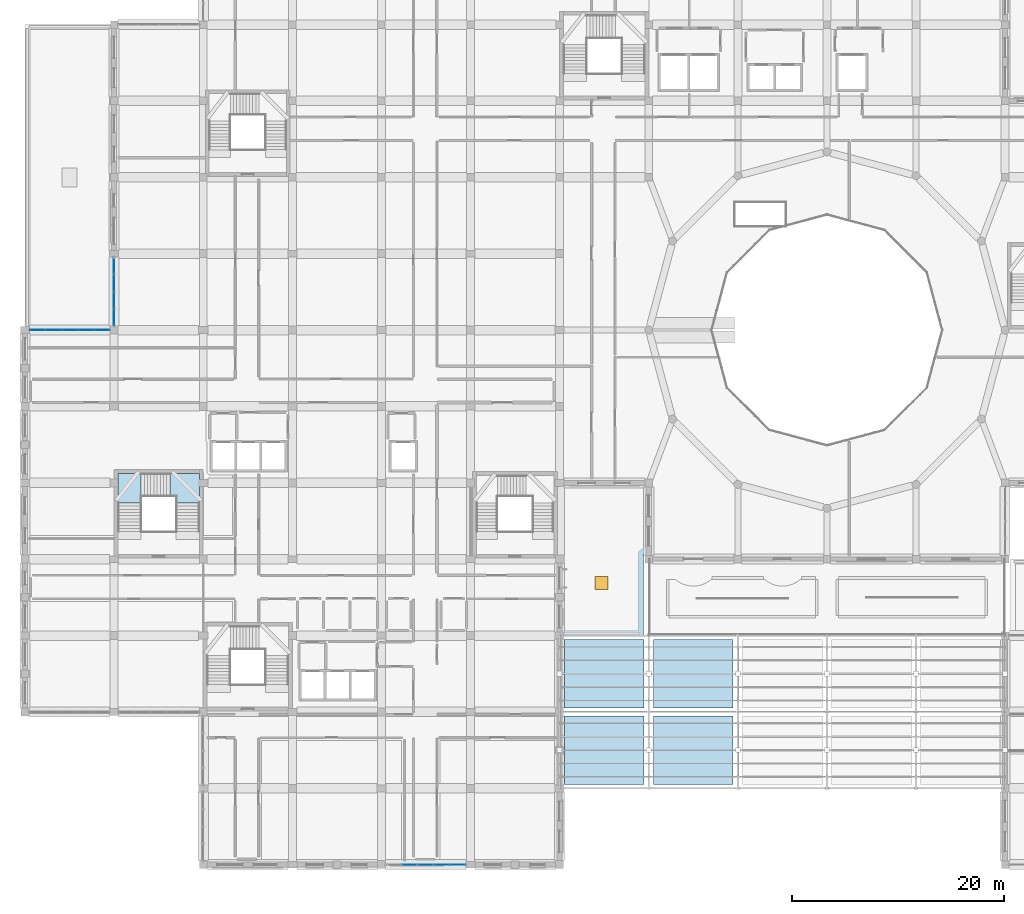
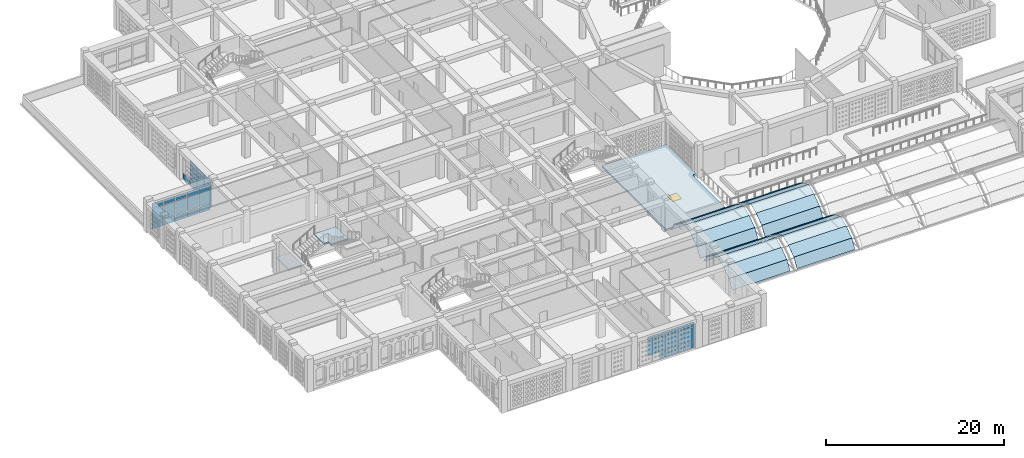
# One storey, part 41 of 100: 60 plates, 3 slabs, 1 window, 1 opening, 4 elements without a shape of their own.
"""IFC4 building model written with IfcOpenShell, lengths in metres."""

from ifc_helpers import new_model, si_unit, derived_unit, direction, frame, origin, origin_2d, place, context, subcontext, project, spatial, polyline, rectangle, outline, extrude, material, layer, layer_set, type_object, element, fill, aggregate, save


model = new_model("IFC4")

# Units and contexts
model_context = context("Model", 3, precision=1e-05, world=origin(), true_north=direction((0.0, 1.0)))
body_context = subcontext(model_context, "Body", "Model", "MODEL_VIEW")
ifc_project = project(units=[si_unit("LENGTHUNIT", "METRE"), si_unit("AREAUNIT", "SQUARE_METRE"), si_unit("VOLUMEUNIT", "CUBIC_METRE"), si_unit("PLANEANGLEUNIT", "RADIAN"), si_unit("MASSUNIT", "GRAM", prefix="KILO"), derived_unit("THERMALTRANSMITTANCEUNIT", [(si_unit("POWERUNIT", "WATT"), 1), (si_unit("LENGTHUNIT", "METRE"), -2), (si_unit("THERMODYNAMICTEMPERATUREUNIT", "KELVIN"), -1)])], contexts=[model_context])

# Site, building, storey
site_placement = place(None, origin())
site = spatial("IfcSite", under=ifc_project, at=site_placement, CompositionType="ELEMENT")
building_placement = place(site_placement, origin())
building = spatial("IfcBuilding", under=site, at=building_placement, Name="Veybourne Emporium", CompositionType="ELEMENT")
storey_placement = place(building_placement, frame((0.0, 0.0, 14.39990234375)))
storey = spatial("IfcBuildingStorey", under=building, at=storey_placement, Name="L03", CompositionType="ELEMENT", Elevation=14.39990234375)

# Curtain wall, plates
ifc_material_1 = material(Name="Patinated Architectural Bronze", Category="bronze")
curtain_wall_type_1 = type_object("IfcCurtainWallType", Name="CWSystem_CWS-06", PredefinedType="NOTDEFINED", material=ifc_material_1)
curtain_wall_1_placement = place(storey_placement, origin())
curtain_wall_1 = element("IfcCurtainWall", 1, at=curtain_wall_1_placement, inside=storey, type_object=curtain_wall_type_1, Name="L03 bronze glazed curtain wall CWS-06 (006)", PredefinedType="NOTDEFINED")
ifc_material_2 = material(Name="Low-E Triple Glazing", Category="glass")
ifc_layer_1 = layer(ifc_material_2, 0.028076171875)
ifc_layer_set_1 = layer_set([ifc_layer_1], Name="Low-E Triple Glazing")
plate_type_1 = type_object("IfcPlateType", Name="CWPanel_CW-P1", PredefinedType="CURTAIN_PANEL", material=ifc_layer_set_1)
plate_1_placement = place(storey_placement, frame((1.203857421875, 50.39990234375, 0.074951171875), z_axis=(0.0, 0.0, 1.0), x_axis=(1.0, 0.0, 0.0)))
plate_1 = element("IfcPlate", 2, at=plate_1_placement, type_object=plate_type_1, Name="CWS-06 panel 1.1", PredefinedType="CURTAIN_PANEL", context=body_context, shape_type="SweptSolid", body=[
    extrude(rectangle(XDim=1.407470703125, YDim=0.028076171875, at=origin_2d()), origin(), (0.0, 0.0, 1.0), 0.78759765625),
])
plate_2_placement = place(storey_placement, frame((1.203857421875, 50.39990234375, 0.9375), z_axis=(0.0, 0.0, 1.0), x_axis=(1.0, 0.0, 0.0)))
plate_2 = element("IfcPlate", 3, at=plate_2_placement, type_object=plate_type_1, Name="CWS-06 panel 1.2", PredefinedType="CURTAIN_PANEL", context=body_context, shape_type="SweptSolid", body=[
    extrude(rectangle(XDim=1.407470703125, YDim=0.028076171875, at=origin_2d()), origin(), (0.0, 0.0, 1.0), 1.905029296875),
])
plate_3_placement = place(storey_placement, frame((1.203857421875, 50.39990234375, 2.91748046875), z_axis=(0.0, 0.0, 1.0), x_axis=(1.0, 0.0, 0.0)))
plate_3 = element("IfcPlate", 4, at=plate_3_placement, type_object=plate_type_1, Name="CWS-06 panel 1.3", PredefinedType="CURTAIN_PANEL", context=body_context, shape_type="SweptSolid", body=[
    extrude(rectangle(XDim=1.407470703125, YDim=0.028076171875, at=origin_2d()), origin(), (0.0, 0.0, 1.0), 0.637451171875),
])
plate_4_placement = place(storey_placement, frame((2.705078125, 50.39990234375, 0.074951171875), z_axis=(0.0, 0.0, 1.0), x_axis=(1.0, 0.0, 0.0)))
plate_4 = element("IfcPlate", 5, at=plate_4_placement, type_object=plate_type_1, Name="CWS-06 panel 2.1", PredefinedType="CURTAIN_PANEL", context=body_context, shape_type="SweptSolid", body=[
    extrude(rectangle(XDim=1.445068359375, YDim=0.028076171875, at=origin_2d()), origin(), (0.0, 0.0, 1.0), 0.78759765625),
])
plate_5_placement = place(storey_placement, frame((2.705078125, 50.39990234375, 0.9375), z_axis=(0.0, 0.0, 1.0), x_axis=(1.0, 0.0, 0.0)))
plate_5 = element("IfcPlate", 6, at=plate_5_placement, type_object=plate_type_1, Name="CWS-06 panel 2.2", PredefinedType="CURTAIN_PANEL", context=body_context, shape_type="SweptSolid", body=[
    extrude(rectangle(XDim=1.445068359375, YDim=0.028076171875, at=origin_2d()), origin(), (0.0, 0.0, 1.0), 1.905029296875),
])
plate_6_placement = place(storey_placement, frame((2.705078125, 50.39990234375, 2.91748046875), z_axis=(0.0, 0.0, 1.0), x_axis=(1.0, 0.0, 0.0)))
plate_6 = element("IfcPlate", 7, at=plate_6_placement, type_object=plate_type_1, Name="CWS-06 panel 2.3", PredefinedType="CURTAIN_PANEL", context=body_context, shape_type="SweptSolid", body=[
    extrude(rectangle(XDim=1.445068359375, YDim=0.028076171875, at=origin_2d()), origin(), (0.0, 0.0, 1.0), 0.637451171875),
])
plate_7_placement = place(storey_placement, frame((4.22509765625, 50.39990234375, 0.074951171875), z_axis=(0.0, 0.0, 1.0), x_axis=(1.0, 0.0, 0.0)))
plate_7 = element("IfcPlate", 8, at=plate_7_placement, type_object=plate_type_1, Name="CWS-06 panel 3.1", PredefinedType="CURTAIN_PANEL", context=body_context, shape_type="SweptSolid", body=[
    extrude(rectangle(XDim=1.445068359375, YDim=0.028076171875, at=origin_2d()), origin(), (0.0, 0.0, 1.0), 0.78759765625),
])
plate_8_placement = place(storey_placement, frame((4.22509765625, 50.39990234375, 0.9375), z_axis=(0.0, 0.0, 1.0), x_axis=(1.0, 0.0, 0.0)))
plate_8 = element("IfcPlate", 9, at=plate_8_placement, type_object=plate_type_1, Name="CWS-06 panel 3.2", PredefinedType="CURTAIN_PANEL", context=body_context, shape_type="SweptSolid", body=[
    extrude(rectangle(XDim=1.445068359375, YDim=0.028076171875, at=origin_2d()), origin(), (0.0, 0.0, 1.0), 1.905029296875),
])
plate_9_placement = place(storey_placement, frame((4.22509765625, 50.39990234375, 2.91748046875), z_axis=(0.0, 0.0, 1.0), x_axis=(1.0, 0.0, 0.0)))
plate_9 = element("IfcPlate", 10, at=plate_9_placement, type_object=plate_type_1, Name="CWS-06 panel 3.3", PredefinedType="CURTAIN_PANEL", context=body_context, shape_type="SweptSolid", body=[
    extrude(rectangle(XDim=1.445068359375, YDim=0.028076171875, at=origin_2d()), origin(), (0.0, 0.0, 1.0), 0.637451171875),
])
plate_10_placement = place(storey_placement, frame((5.7451171875, 50.39990234375, 0.074951171875), z_axis=(0.0, 0.0, 1.0), x_axis=(1.0, 0.0, 0.0)))
plate_10 = element("IfcPlate", 11, at=plate_10_placement, type_object=plate_type_1, Name="CWS-06 panel 4.1", PredefinedType="CURTAIN_PANEL", context=body_context, shape_type="SweptSolid", body=[
    extrude(rectangle(XDim=1.445068359375, YDim=0.028076171875, at=origin_2d()), origin(), (0.0, 0.0, 1.0), 0.78759765625),
])
plate_11_placement = place(storey_placement, frame((5.7451171875, 50.39990234375, 0.9375), z_axis=(0.0, 0.0, 1.0), x_axis=(1.0, 0.0, 0.0)))
plate_11 = element("IfcPlate", 12, at=plate_11_placement, type_object=plate_type_1, Name="CWS-06 panel 4.2", PredefinedType="CURTAIN_PANEL", context=body_context, shape_type="SweptSolid", body=[
    extrude(rectangle(XDim=1.445068359375, YDim=0.028076171875, at=origin_2d()), origin(), (0.0, 0.0, 1.0), 1.905029296875),
])
plate_12_placement = place(storey_placement, frame((5.7451171875, 50.39990234375, 2.91748046875), z_axis=(0.0, 0.0, 1.0), x_axis=(1.0, 0.0, 0.0)))
plate_12 = element("IfcPlate", 13, at=plate_12_placement, type_object=plate_type_1, Name="CWS-06 panel 4.3", PredefinedType="CURTAIN_PANEL", context=body_context, shape_type="SweptSolid", body=[
    extrude(rectangle(XDim=1.445068359375, YDim=0.028076171875, at=origin_2d()), origin(), (0.0, 0.0, 1.0), 0.637451171875),
])
plate_13_placement = place(storey_placement, frame((7.246337890625, 50.39990234375, 0.074951171875), z_axis=(0.0, 0.0, 1.0), x_axis=(1.0, 0.0, 0.0)))
plate_13 = element("IfcPlate", 14, at=plate_13_placement, type_object=plate_type_1, Name="CWS-06 panel 5.1", PredefinedType="CURTAIN_PANEL", context=body_context, shape_type="SweptSolid", body=[
    extrude(rectangle(XDim=1.407470703125, YDim=0.028076171875, at=origin_2d()), origin(), (0.0, 0.0, 1.0), 0.78759765625),
])
plate_14_placement = place(storey_placement, frame((7.246337890625, 50.39990234375, 0.9375), z_axis=(0.0, 0.0, 1.0), x_axis=(1.0, 0.0, 0.0)))
plate_14 = element("IfcPlate", 15, at=plate_14_placement, type_object=plate_type_1, Name="CWS-06 panel 5.2", PredefinedType="CURTAIN_PANEL", context=body_context, shape_type="SweptSolid", body=[
    extrude(rectangle(XDim=1.407470703125, YDim=0.028076171875, at=origin_2d()), origin(), (0.0, 0.0, 1.0), 1.905029296875),
])
plate_15_placement = place(storey_placement, frame((7.246337890625, 50.39990234375, 2.91748046875), z_axis=(0.0, 0.0, 1.0), x_axis=(1.0, 0.0, 0.0)))
plate_15 = element("IfcPlate", 16, at=plate_15_placement, type_object=plate_type_1, Name="CWS-06 panel 5.3", PredefinedType="CURTAIN_PANEL", context=body_context, shape_type="SweptSolid", body=[
    extrude(rectangle(XDim=1.407470703125, YDim=0.028076171875, at=origin_2d()), origin(), (0.0, 0.0, 1.0), 0.637451171875),
])
aggregate(curtain_wall_1, [plate_1, plate_2, plate_3, plate_4, plate_5, plate_6, plate_7, plate_8, plate_9, plate_10, plate_11, plate_12, plate_13, plate_14, plate_15])

curtain_wall_type_2 = type_object("IfcCurtainWallType", Name="CWSystem_CWS-08", PredefinedType="NOTDEFINED", material=ifc_material_1)
curtain_wall_2_placement = place(storey_placement, origin())
curtain_wall_2 = element("IfcCurtainWall", 17, at=curtain_wall_2_placement, inside=storey, type_object=curtain_wall_type_2, Name="L03 bronze glazed curtain wall CWS-08 (009)", PredefinedType="NOTDEFINED")
plate_16_placement = place(storey_placement, frame((8.39990234375, 51.60498046875, 0.070068359375), z_axis=(0.0, 0.0, 1.0), x_axis=(0.0, 1.0, 0.0)))
plate_16 = element("IfcPlate", 18, at=plate_16_placement, type_object=plate_type_1, Name="CWS-08 panel 1.1", PredefinedType="CURTAIN_PANEL", context=body_context, shape_type="SweptSolid", body=[
    extrude(rectangle(XDim=1.52001953125, YDim=0.028076171875, at=origin_2d()), origin(), (0.0, 0.0, 1.0), 0.794921875),
])
plate_17_placement = place(storey_placement, frame((8.39990234375, 51.60498046875, 0.93505859375), z_axis=(0.0, 0.0, 1.0), x_axis=(0.0, 1.0, 0.0)))
plate_17 = element("IfcPlate", 19, at=plate_17_placement, type_object=plate_type_1, Name="CWS-08 panel 1.2", PredefinedType="CURTAIN_PANEL", context=body_context, shape_type="SweptSolid", body=[
    extrude(rectangle(XDim=1.52001953125, YDim=0.028076171875, at=origin_2d()), origin(), (0.0, 0.0, 1.0), 1.909912109375),
])
plate_18_placement = place(storey_placement, frame((8.39990234375, 51.60498046875, 2.9150390625), z_axis=(0.0, 0.0, 1.0), x_axis=(0.0, 1.0, 0.0)))
plate_18 = element("IfcPlate", 20, at=plate_18_placement, type_object=plate_type_1, Name="CWS-08 panel 1.3", PredefinedType="CURTAIN_PANEL", context=body_context, shape_type="SweptSolid", body=[
    extrude(rectangle(XDim=1.52001953125, YDim=0.028076171875, at=origin_2d()), origin(), (0.0, 0.0, 1.0), 0.64501953125),
])
plate_19_placement = place(storey_placement, frame((8.39990234375, 53.21240234375, 0.070068359375), z_axis=(0.0, 0.0, 1.0), x_axis=(0.0, 1.0, 0.0)))
plate_19 = element("IfcPlate", 21, at=plate_19_placement, type_object=plate_type_1, Name="CWS-08 panel 2.1", PredefinedType="CURTAIN_PANEL", context=body_context, shape_type="SweptSolid", body=[
    extrude(rectangle(XDim=1.554931640625, YDim=0.028076171875, at=origin_2d()), origin(), (0.0, 0.0, 1.0), 0.794921875),
])
plate_20_placement = place(storey_placement, frame((8.39990234375, 53.21240234375, 0.93505859375), z_axis=(0.0, 0.0, 1.0), x_axis=(0.0, 1.0, 0.0)))
plate_20 = element("IfcPlate", 22, at=plate_20_placement, type_object=plate_type_1, Name="CWS-08 panel 2.2", PredefinedType="CURTAIN_PANEL", context=body_context, shape_type="SweptSolid", body=[
    extrude(rectangle(XDim=1.554931640625, YDim=0.028076171875, at=origin_2d()), origin(), (0.0, 0.0, 1.0), 1.909912109375),
])
plate_21_placement = place(storey_placement, frame((8.39990234375, 53.21240234375, 2.9150390625), z_axis=(0.0, 0.0, 1.0), x_axis=(0.0, 1.0, 0.0)))
plate_21 = element("IfcPlate", 23, at=plate_21_placement, type_object=plate_type_1, Name="CWS-08 panel 2.3", PredefinedType="CURTAIN_PANEL", context=body_context, shape_type="SweptSolid", body=[
    extrude(rectangle(XDim=1.554931640625, YDim=0.028076171875, at=origin_2d()), origin(), (0.0, 0.0, 1.0), 0.64501953125),
])
plate_22_placement = place(storey_placement, frame((8.39990234375, 54.83740234375, 0.070068359375), z_axis=(0.0, 0.0, 1.0), x_axis=(0.0, 1.0, 0.0)))
plate_22 = element("IfcPlate", 24, at=plate_22_placement, type_object=plate_type_1, Name="CWS-08 panel 3.1", PredefinedType="CURTAIN_PANEL", context=body_context, shape_type="SweptSolid", body=[
    extrude(rectangle(XDim=1.554931640625, YDim=0.028076171875, at=origin_2d()), origin(), (0.0, 0.0, 1.0), 0.794921875),
])
plate_23_placement = place(storey_placement, frame((8.39990234375, 54.83740234375, 0.93505859375), z_axis=(0.0, 0.0, 1.0), x_axis=(0.0, 1.0, 0.0)))
plate_23 = element("IfcPlate", 25, at=plate_23_placement, type_object=plate_type_1, Name="CWS-08 panel 3.2", PredefinedType="CURTAIN_PANEL", context=body_context, shape_type="SweptSolid", body=[
    extrude(rectangle(XDim=1.554931640625, YDim=0.028076171875, at=origin_2d()), origin(), (0.0, 0.0, 1.0), 1.909912109375),
])
plate_24_placement = place(storey_placement, frame((8.39990234375, 54.83740234375, 2.9150390625), z_axis=(0.0, 0.0, 1.0), x_axis=(0.0, 1.0, 0.0)))
plate_24 = element("IfcPlate", 26, at=plate_24_placement, type_object=plate_type_1, Name="CWS-08 panel 3.3", PredefinedType="CURTAIN_PANEL", context=body_context, shape_type="SweptSolid", body=[
    extrude(rectangle(XDim=1.554931640625, YDim=0.028076171875, at=origin_2d()), origin(), (0.0, 0.0, 1.0), 0.64501953125),
])
plate_25_placement = place(storey_placement, frame((8.39990234375, 56.445068359375, 0.070068359375), z_axis=(0.0, 0.0, 1.0), x_axis=(0.0, 1.0, 0.0)))
plate_25 = element("IfcPlate", 27, at=plate_25_placement, type_object=plate_type_1, Name="CWS-08 panel 4.1", PredefinedType="CURTAIN_PANEL", context=body_context, shape_type="SweptSolid", body=[
    extrude(rectangle(XDim=1.52001953125, YDim=0.028076171875, at=origin_2d()), origin(), (0.0, 0.0, 1.0), 0.794921875),
])
aggregate(curtain_wall_2, [plate_16, plate_17, plate_18, plate_19, plate_20, plate_21, plate_22, plate_23, plate_24, plate_25])

curtain_wall_type_3 = type_object("IfcCurtainWallType", Name="CWSystem_CWS-13", PredefinedType="NOTDEFINED", material=ifc_material_1)
curtain_wall_3_placement = place(storey_placement, origin())
curtain_wall_3 = element("IfcCurtainWall", 28, at=curtain_wall_3_placement, inside=storey, type_object=curtain_wall_type_3, Name="L03 bronze glazed curtain wall CWS-13 (021)", PredefinedType="NOTDEFINED")
plate_26_placement = place(storey_placement, frame((40.797119140625, 0.0, 0.072021484375), z_axis=(0.0, 0.0, 1.0), x_axis=(-1.0, 0.0, 0.0)))
plate_26 = element("IfcPlate", 29, at=plate_26_placement, type_object=plate_type_1, Name="CWS-13 panel 1.1", PredefinedType="CURTAIN_PANEL", context=body_context, shape_type="SweptSolid", body=[
    extrude(rectangle(XDim=1.412109375, YDim=0.028076171875, at=origin_2d()), origin(), (0.0, 0.0, 1.0), 0.7919921875),
])
plate_27_placement = place(storey_placement, frame((40.797119140625, 0.0, 0.93603515625), z_axis=(0.0, 0.0, 1.0), x_axis=(-1.0, 0.0, 0.0)))
plate_27 = element("IfcPlate", 30, at=plate_27_placement, type_object=plate_type_1, Name="CWS-13 panel 1.2", PredefinedType="CURTAIN_PANEL", context=body_context, shape_type="SweptSolid", body=[
    extrude(rectangle(XDim=1.412109375, YDim=0.028076171875, at=origin_2d()), origin(), (0.0, 0.0, 1.0), 1.907958984375),
])
plate_28_placement = place(storey_placement, frame((40.797119140625, 0.0, 2.916015625), z_axis=(0.0, 0.0, 1.0), x_axis=(-1.0, 0.0, 0.0)))
plate_28 = element("IfcPlate", 31, at=plate_28_placement, type_object=plate_type_1, Name="CWS-13 panel 1.3", PredefinedType="CURTAIN_PANEL", context=body_context, shape_type="SweptSolid", body=[
    extrude(rectangle(XDim=1.412109375, YDim=0.028076171875, at=origin_2d()), origin(), (0.0, 0.0, 1.0), 0.64208984375),
])
plate_29_placement = place(storey_placement, frame((39.294921875, 0.0, 0.072021484375), z_axis=(0.0, 0.0, 1.0), x_axis=(-1.0, 0.0, 0.0)))
plate_29 = element("IfcPlate", 32, at=plate_29_placement, type_object=plate_type_1, Name="CWS-13 panel 2.1", PredefinedType="CURTAIN_PANEL", context=body_context, shape_type="SweptSolid", body=[
    extrude(rectangle(XDim=1.447998046875, YDim=0.028076171875, at=origin_2d()), origin(), (0.0, 0.0, 1.0), 0.7919921875),
])
plate_30_placement = place(storey_placement, frame((39.294921875, 0.0, 0.93603515625), z_axis=(0.0, 0.0, 1.0), x_axis=(-1.0, 0.0, 0.0)))
plate_30 = element("IfcPlate", 33, at=plate_30_placement, type_object=plate_type_1, Name="CWS-13 panel 2.2", PredefinedType="CURTAIN_PANEL", context=body_context, shape_type="SweptSolid", body=[
    extrude(rectangle(XDim=1.447998046875, YDim=0.028076171875, at=origin_2d()), origin(), (0.0, 0.0, 1.0), 1.907958984375),
])
plate_31_placement = place(storey_placement, frame((39.294921875, 0.0, 2.916015625), z_axis=(0.0, 0.0, 1.0), x_axis=(-1.0, 0.0, 0.0)))
plate_31 = element("IfcPlate", 34, at=plate_31_placement, type_object=plate_type_1, Name="CWS-13 panel 2.3", PredefinedType="CURTAIN_PANEL", context=body_context, shape_type="SweptSolid", body=[
    extrude(rectangle(XDim=1.447998046875, YDim=0.028076171875, at=origin_2d()), origin(), (0.0, 0.0, 1.0), 0.64208984375),
])
plate_32_placement = place(storey_placement, frame((37.77490234375, 0.0, 0.072021484375), z_axis=(0.0, 0.0, 1.0), x_axis=(-1.0, 0.0, 0.0)))
plate_32 = element("IfcPlate", 35, at=plate_32_placement, type_object=plate_type_1, Name="CWS-13 panel 3.1", PredefinedType="CURTAIN_PANEL", context=body_context, shape_type="SweptSolid", body=[
    extrude(rectangle(XDim=1.447998046875, YDim=0.028076171875, at=origin_2d()), origin(), (0.0, 0.0, 1.0), 0.7919921875),
])
plate_33_placement = place(storey_placement, frame((37.77490234375, 0.0, 0.93603515625), z_axis=(0.0, 0.0, 1.0), x_axis=(-1.0, 0.0, 0.0)))
plate_33 = element("IfcPlate", 36, at=plate_33_placement, type_object=plate_type_1, Name="CWS-13 panel 3.2", PredefinedType="CURTAIN_PANEL", context=body_context, shape_type="SweptSolid", body=[
    extrude(rectangle(XDim=1.447998046875, YDim=0.028076171875, at=origin_2d()), origin(), (0.0, 0.0, 1.0), 1.907958984375),
])
plate_34_placement = place(storey_placement, frame((37.77490234375, 0.0, 2.916015625), z_axis=(0.0, 0.0, 1.0), x_axis=(-1.0, 0.0, 0.0)))
plate_34 = element("IfcPlate", 37, at=plate_34_placement, type_object=plate_type_1, Name="CWS-13 panel 3.3", PredefinedType="CURTAIN_PANEL", context=body_context, shape_type="SweptSolid", body=[
    extrude(rectangle(XDim=1.447998046875, YDim=0.028076171875, at=origin_2d()), origin(), (0.0, 0.0, 1.0), 0.64208984375),
])
plate_35_placement = place(storey_placement, frame((36.2548828125, 0.0, 0.93603515625), z_axis=(0.0, 0.0, 1.0), x_axis=(-1.0, 0.0, 0.0)))
plate_35 = element("IfcPlate", 38, at=plate_35_placement, type_object=plate_type_1, Name="CWS-13 panel 4.2", PredefinedType="CURTAIN_PANEL", context=body_context, shape_type="SweptSolid", body=[
    extrude(rectangle(XDim=1.447998046875, YDim=0.028076171875, at=origin_2d()), origin(), (0.0, 0.0, 1.0), 1.907958984375),
])
plate_36_placement = place(storey_placement, frame((36.2548828125, 0.0, 2.916015625), z_axis=(0.0, 0.0, 1.0), x_axis=(-1.0, 0.0, 0.0)))
plate_36 = element("IfcPlate", 39, at=plate_36_placement, type_object=plate_type_1, Name="CWS-13 panel 4.3", PredefinedType="CURTAIN_PANEL", context=body_context, shape_type="SweptSolid", body=[
    extrude(rectangle(XDim=1.447998046875, YDim=0.028076171875, at=origin_2d()), origin(), (0.0, 0.0, 1.0), 0.64208984375),
])
aggregate(curtain_wall_3, [plate_26, plate_27, plate_28, plate_29, plate_30, plate_31, plate_32, plate_33, plate_34, plate_35, plate_36])

# Plates
ifc_material_3 = material(Name="Solar Control Laminated Glass", Category="glass")
ifc_layer_2 = layer(ifc_material_3, 0.02392578125)
ifc_layer_set_2 = layer_set([ifc_layer_2], Name="Solar Control Laminated Glass")
plate_type_2 = type_object("IfcPlateType", Name="GlazingPlate_VG-01", PredefinedType="SHEET", material=ifc_layer_set_2)
plate_37_placement = place(storey_placement, frame((50.840087890625, 7.56005859375, 0.024169921875), z_axis=(0.0, -0.847573426273, 0.530678138871), x_axis=(1.0, 0.0, 0.0)))
element("IfcPlate", 40, at=plate_37_placement, inside=storey, type_object=plate_type_2, Name="Arcade vault laminated glazing VG-01 VA.0.1", PredefinedType="SHEET", context=body_context, shape_type="SweptSolid", body=[
    extrude(outline(polyline([(0.0, 0.0), (7.52001953125, 0.0), (7.52001953125, 1.3566993821477364), (0.0, 1.3566993821477364), (0.0, 0.0)])), origin(), (0.0, 0.0, -1.0), 0.02392578125),
])
plate_38_placement = place(storey_placement, frame((50.840087890625, 8.280029296875, 1.174072265625), z_axis=(0.0, -0.581297847849, 0.813690857811), x_axis=(1.0, 0.0, 0.0)))
element("IfcPlate", 41, at=plate_38_placement, inside=storey, type_object=plate_type_2, Name="Arcade vault laminated glazing VG-01 VA.0.2", PredefinedType="SHEET", context=body_context, shape_type="SweptSolid", body=[
    extrude(outline(polyline([(0.0, 0.0), (7.52001953125, 0.0), (7.52001953125, 1.5485116411583864), (0.0, 1.5485116411583864), (0.0, 0.0)])), origin(), (0.0, 0.0, -1.0), 0.02392578125),
])
for number, where, z_axis, x_axis, name in (
    (42, (50.840087890625, 9.5400390625, 2.07421875), (0.0, -0.399933606254, 0.916544112735), (1.0, 0.0, 0.0), "Arcade vault laminated glazing VG-01 VA.0.3"),
    (43, (50.840087890625, 10.800048828125, 2.6240234375), (0.0, 0.399933606254, 0.916544112735), (1.0, 0.0, 0.0), "Arcade vault laminated glazing VG-01 VA.0.4"),
):
    element("IfcPlate", number, at=place(storey_placement, frame(where, z_axis=z_axis, x_axis=x_axis)), inside=storey, type_object=plate_type_2, Name=name, PredefinedType="SHEET", context=body_context, shape_type="SweptSolid", body=[
        extrude(outline(polyline([(0.0, 0.0), (7.52001953125, 0.0), (7.52001953125, 1.3747399040790733), (0.0, 1.3747399040790733), (0.0, 0.0)])), origin(), (0.0, 0.0, -1.0), 0.02392578125),
    ])
plate_39_placement = place(storey_placement, frame((50.840087890625, 12.06005859375, 2.07421875), z_axis=(0.0, 0.581297847849, 0.813690857811), x_axis=(1.0, 0.0, 0.0)))
element("IfcPlate", 44, at=plate_39_placement, inside=storey, type_object=plate_type_2, Name="Arcade vault laminated glazing VG-01 VA.0.5", PredefinedType="SHEET", context=body_context, shape_type="SweptSolid", body=[
    extrude(outline(polyline([(0.0, 0.0), (7.52001953125, 0.0), (7.52001953125, 1.5485116411583864), (0.0, 1.5485116411583864), (0.0, 0.0)])), origin(), (0.0, 0.0, -1.0), 0.02392578125),
])
for number, where, z_axis, x_axis, name in (
    (45, (50.840087890625, 13.320068359375, 1.174072265625), (0.0, 0.847573426273, 0.530678138871), (1.0, 0.0, 0.0), "Arcade vault laminated glazing VG-01 VA.0.6"),
    (46, (59.239990234375, 7.56005859375, 0.024169921875), (0.0, -0.847573426273, 0.530678138871), (1.0, 0.0, 0.0), "Arcade vault laminated glazing VG-01 VA.1.1"),
):
    element("IfcPlate", number, at=place(storey_placement, frame(where, z_axis=z_axis, x_axis=x_axis)), inside=storey, type_object=plate_type_2, Name=name, PredefinedType="SHEET", context=body_context, shape_type="SweptSolid", body=[
        extrude(outline(polyline([(0.0, 0.0), (7.52001953125, 0.0), (7.52001953125, 1.3566993821477364), (0.0, 1.3566993821477364), (0.0, 0.0)])), origin(), (0.0, 0.0, -1.0), 0.02392578125),
    ])
plate_40_placement = place(storey_placement, frame((59.239990234375, 8.280029296875, 1.174072265625), z_axis=(0.0, -0.581297847849, 0.813690857811), x_axis=(1.0, 0.0, 0.0)))
element("IfcPlate", 47, at=plate_40_placement, inside=storey, type_object=plate_type_2, Name="Arcade vault laminated glazing VG-01 VA.1.2", PredefinedType="SHEET", context=body_context, shape_type="SweptSolid", body=[
    extrude(outline(polyline([(0.0, 0.0), (7.52001953125, 0.0), (7.52001953125, 1.5485116411583864), (0.0, 1.5485116411583864), (0.0, 0.0)])), origin(), (0.0, 0.0, -1.0), 0.02392578125),
])
for number, where, z_axis, x_axis, name in (
    (48, (59.239990234375, 9.5400390625, 2.07421875), (0.0, -0.399933606254, 0.916544112735), (1.0, 0.0, 0.0), "Arcade vault laminated glazing VG-01 VA.1.3"),
    (49, (59.239990234375, 10.800048828125, 2.6240234375), (0.0, 0.399933606254, 0.916544112735), (1.0, 0.0, 0.0), "Arcade vault laminated glazing VG-01 VA.1.4"),
):
    element("IfcPlate", number, at=place(storey_placement, frame(where, z_axis=z_axis, x_axis=x_axis)), inside=storey, type_object=plate_type_2, Name=name, PredefinedType="SHEET", context=body_context, shape_type="SweptSolid", body=[
        extrude(outline(polyline([(0.0, 0.0), (7.52001953125, 0.0), (7.52001953125, 1.3747399040790733), (0.0, 1.3747399040790733), (0.0, 0.0)])), origin(), (0.0, 0.0, -1.0), 0.02392578125),
    ])
plate_41_placement = place(storey_placement, frame((59.239990234375, 12.06005859375, 2.07421875), z_axis=(0.0, 0.581297847849, 0.813690857811), x_axis=(1.0, 0.0, 0.0)))
element("IfcPlate", 50, at=plate_41_placement, inside=storey, type_object=plate_type_2, Name="Arcade vault laminated glazing VG-01 VA.1.5", PredefinedType="SHEET", context=body_context, shape_type="SweptSolid", body=[
    extrude(outline(polyline([(0.0, 0.0), (7.52001953125, 0.0), (7.52001953125, 1.5485116411583864), (0.0, 1.5485116411583864), (0.0, 0.0)])), origin(), (0.0, 0.0, -1.0), 0.02392578125),
])
for number, where, z_axis, x_axis, name in (
    (51, (59.239990234375, 13.320068359375, 1.174072265625), (0.0, 0.847573426273, 0.530678138871), (1.0, 0.0, 0.0), "Arcade vault laminated glazing VG-01 VA.1.6"),
    (52, (50.840087890625, 14.760009765625, 0.024169921875), (0.0, -0.847573426273, 0.530678138871), (1.0, 0.0, 0.0), "Arcade vault laminated glazing VG-01 VB.0.1"),
):
    element("IfcPlate", number, at=place(storey_placement, frame(where, z_axis=z_axis, x_axis=x_axis)), inside=storey, type_object=plate_type_2, Name=name, PredefinedType="SHEET", context=body_context, shape_type="SweptSolid", body=[
        extrude(outline(polyline([(0.0, 0.0), (7.52001953125, 0.0), (7.52001953125, 1.3566993821477364), (0.0, 1.3566993821477364), (0.0, 0.0)])), origin(), (0.0, 0.0, -1.0), 0.02392578125),
    ])
plate_42_placement = place(storey_placement, frame((50.840087890625, 15.47998046875, 1.174072265625), z_axis=(0.0, -0.581297847849, 0.813690857811), x_axis=(1.0, 0.0, 0.0)))
element("IfcPlate", 53, at=plate_42_placement, inside=storey, type_object=plate_type_2, Name="Arcade vault laminated glazing VG-01 VB.0.2", PredefinedType="SHEET", context=body_context, shape_type="SweptSolid", body=[
    extrude(outline(polyline([(0.0, 0.0), (7.52001953125, 0.0), (7.52001953125, 1.5485116411583864), (0.0, 1.5485116411583864), (0.0, 0.0)])), origin(), (0.0, 0.0, -1.0), 0.02392578125),
])
for number, where, z_axis, x_axis, name in (
    (54, (50.840087890625, 16.739990234375, 2.07421875), (0.0, -0.399933606254, 0.916544112735), (1.0, 0.0, 0.0), "Arcade vault laminated glazing VG-01 VB.0.3"),
    (55, (50.840087890625, 18.0, 2.6240234375), (0.0, 0.399933606254, 0.916544112735), (1.0, 0.0, 0.0), "Arcade vault laminated glazing VG-01 VB.0.4"),
):
    element("IfcPlate", number, at=place(storey_placement, frame(where, z_axis=z_axis, x_axis=x_axis)), inside=storey, type_object=plate_type_2, Name=name, PredefinedType="SHEET", context=body_context, shape_type="SweptSolid", body=[
        extrude(outline(polyline([(0.0, 0.0), (7.52001953125, 0.0), (7.52001953125, 1.3747399040790733), (0.0, 1.3747399040790733), (0.0, 0.0)])), origin(), (0.0, 0.0, -1.0), 0.02392578125),
    ])
plate_43_placement = place(storey_placement, frame((50.840087890625, 19.260009765625, 2.07421875), z_axis=(0.0, 0.581297847849, 0.813690857811), x_axis=(1.0, 0.0, 0.0)))
element("IfcPlate", 56, at=plate_43_placement, inside=storey, type_object=plate_type_2, Name="Arcade vault laminated glazing VG-01 VB.0.5", PredefinedType="SHEET", context=body_context, shape_type="SweptSolid", body=[
    extrude(outline(polyline([(0.0, 0.0), (7.52001953125, 0.0), (7.52001953125, 1.5485116411583864), (0.0, 1.5485116411583864), (0.0, 0.0)])), origin(), (0.0, 0.0, -1.0), 0.02392578125),
])
for number, where, z_axis, x_axis, name in (
    (57, (50.840087890625, 20.52001953125, 1.174072265625), (0.0, 0.847573426273, 0.530678138871), (1.0, 0.0, 0.0), "Arcade vault laminated glazing VG-01 VB.0.6"),
    (58, (59.239990234375, 14.760009765625, 0.024169921875), (0.0, -0.847573426273, 0.530678138871), (1.0, 0.0, 0.0), "Arcade vault laminated glazing VG-01 VB.1.1"),
):
    element("IfcPlate", number, at=place(storey_placement, frame(where, z_axis=z_axis, x_axis=x_axis)), inside=storey, type_object=plate_type_2, Name=name, PredefinedType="SHEET", context=body_context, shape_type="SweptSolid", body=[
        extrude(outline(polyline([(0.0, 0.0), (7.52001953125, 0.0), (7.52001953125, 1.3566993821477364), (0.0, 1.3566993821477364), (0.0, 0.0)])), origin(), (0.0, 0.0, -1.0), 0.02392578125),
    ])
plate_44_placement = place(storey_placement, frame((59.239990234375, 15.47998046875, 1.174072265625), z_axis=(0.0, -0.581297847849, 0.813690857811), x_axis=(1.0, 0.0, 0.0)))
element("IfcPlate", 59, at=plate_44_placement, inside=storey, type_object=plate_type_2, Name="Arcade vault laminated glazing VG-01 VB.1.2", PredefinedType="SHEET", context=body_context, shape_type="SweptSolid", body=[
    extrude(outline(polyline([(0.0, 0.0), (7.52001953125, 0.0), (7.52001953125, 1.5485116411583864), (0.0, 1.5485116411583864), (0.0, 0.0)])), origin(), (0.0, 0.0, -1.0), 0.02392578125),
])
for number, where, z_axis, x_axis, name in (
    (60, (59.239990234375, 16.739990234375, 2.07421875), (0.0, -0.399933606254, 0.916544112735), (1.0, 0.0, 0.0), "Arcade vault laminated glazing VG-01 VB.1.3"),
    (61, (59.239990234375, 18.0, 2.6240234375), (0.0, 0.399933606254, 0.916544112735), (1.0, 0.0, 0.0), "Arcade vault laminated glazing VG-01 VB.1.4"),
):
    element("IfcPlate", number, at=place(storey_placement, frame(where, z_axis=z_axis, x_axis=x_axis)), inside=storey, type_object=plate_type_2, Name=name, PredefinedType="SHEET", context=body_context, shape_type="SweptSolid", body=[
        extrude(outline(polyline([(0.0, 0.0), (7.52001953125, 0.0), (7.52001953125, 1.3747399040790733), (0.0, 1.3747399040790733), (0.0, 0.0)])), origin(), (0.0, 0.0, -1.0), 0.02392578125),
    ])
plate_45_placement = place(storey_placement, frame((59.239990234375, 19.260009765625, 2.07421875), z_axis=(0.0, 0.581297847849, 0.813690857811), x_axis=(1.0, 0.0, 0.0)))
element("IfcPlate", 62, at=plate_45_placement, inside=storey, type_object=plate_type_2, Name="Arcade vault laminated glazing VG-01 VB.1.5", PredefinedType="SHEET", context=body_context, shape_type="SweptSolid", body=[
    extrude(outline(polyline([(0.0, 0.0), (7.52001953125, 0.0), (7.52001953125, 1.5485116411583864), (0.0, 1.5485116411583864), (0.0, 0.0)])), origin(), (0.0, 0.0, -1.0), 0.02392578125),
])
plate_46_placement = place(storey_placement, frame((59.239990234375, 20.52001953125, 1.174072265625), z_axis=(0.0, 0.847573426273, 0.530678138871), x_axis=(1.0, 0.0, 0.0)))
element("IfcPlate", 63, at=plate_46_placement, inside=storey, type_object=plate_type_2, Name="Arcade vault laminated glazing VG-01 VB.1.6", PredefinedType="SHEET", context=body_context, shape_type="SweptSolid", body=[
    extrude(outline(polyline([(0.0, 0.0), (7.52001953125, 0.0), (7.52001953125, 1.3566993821477364), (0.0, 1.3566993821477364), (0.0, 0.0)])), origin(), (0.0, 0.0, -1.0), 0.02392578125),
])

# Stair, slabs
ifc_material_4 = material(Name="Concrete C32/40", Category="concrete")
stair_type = type_object("IfcStairType", Name="Stair_ST-02-R30", PredefinedType="TWO_QUARTER_TURN_STAIR", material=ifc_material_4)
stair_placement = place(storey_placement, origin())
stair = element("IfcStair", 64, at=stair_placement, inside=storey, type_object=stair_type, Name="L03 stair ST-02", PredefinedType="TWO_QUARTER_TURN_STAIR")
ifc_layer_3 = layer(ifc_material_4, 0.199951171875)
ifc_layer_set_3 = layer_set([ifc_layer_3], Name="Concrete C32/40")
slab_type_1 = type_object("IfcSlabType", Name="Landing_LDG-01", PredefinedType="LANDING", material=ifc_layer_set_3)
slab_1_placement = place(storey_placement, frame((0.0, 0.0, 1.300048828125)))
slab_1 = element("IfcSlab", 65, at=slab_1_placement, type_object=slab_type_1, Name="ST-02-R30 landing 1", PredefinedType="LANDING", context=body_context, shape_type="SweptSolid", body=[
    extrude(outline(polyline([(8.75, 34.10009765625), (10.949951171875, 34.10009765625), (10.949951171875, 36.89990234375), (8.75, 36.89990234375), (8.75, 34.10009765625)])), origin(), (0.0, 0.0, 1.0), 0.199951171875),
])
slab_2_placement = place(storey_placement, frame((0.0, 0.0, 2.800048828125)))
slab_2 = element("IfcSlab", 66, at=slab_2_placement, type_object=slab_type_1, Name="ST-02-R30 landing 2", PredefinedType="LANDING", context=body_context, shape_type="SweptSolid", body=[
    extrude(outline(polyline([(13.64990234375, 34.699951171875), (14.25, 34.699951171875), (14.25, 34.10009765625), (16.449951171875, 34.10009765625), (16.449951171875, 36.89990234375), (13.64990234375, 36.89990234375), (13.64990234375, 34.699951171875)])), origin(), (0.0, 0.0, 1.0), 0.199951171875),
])
aggregate(stair, [slab_1, slab_2])

# Slab, opening, window
ifc_layer_4 = layer(ifc_material_4, 0.260009765625)
ifc_layer_set_4 = layer_set([ifc_layer_4], Name="Concrete C32/40")
slab_type_2 = type_object("IfcSlabType", Name="Slab_RS-01", PredefinedType="ROOF", material=ifc_layer_set_4)
slab_3_placement = place(storey_placement, frame((0.0, 0.0, -0.260009765625)))
slab_3 = element("IfcSlab", 67, at=slab_3_placement, inside=storey, type_object=slab_type_2, Name="L03 flat roof slab 1", PredefinedType="ROOF", context=body_context, shape_type="SweptSolid", body=[
    extrude(outline(polyline([(58.800048828125, 29.300048828125), (58.300048828125, 29.300048828125), (58.300048828125, 21.60009765625), (50.39990234375, 21.60009765625), (50.39990234375, 28.800048828125), (50.39990234375, 36.0), (58.800048828125, 36.0), (58.800048828125, 29.300048828125)])), origin(), (0.0, 0.0, 1.0), 0.260009765625),
])
opening_placement = place(slab_3_placement, frame((54.35009765625, 26.550048828125, -0.02001953125)))
opening = element("IfcOpeningElement", 68, at=opening_placement, cuts=slab_3, Name="Opening RH-01", PredefinedType="OPENING", context=body_context, shape_type="SweptSolid", body=[
    extrude(rectangle(XDim=1.199951171875, YDim=1.199951171875, at=origin_2d()), origin(), (0.0, 0.0, 1.0), 0.300048828125),
])
window_type = type_object("IfcWindowType", Name="Hatch_RH-01", PartitioningType="SINGLE_PANEL", PredefinedType="SKYLIGHT", material=ifc_material_3)
window_placement = place(slab_3_placement, frame((54.35009765625, 26.550048828125, 0.2099609375)))
window = element("IfcWindow", 69, at=window_placement, inside=storey, type_object=window_type, Name="L03 roof access skylight hatch RH-01", OverallHeight=1.199951171875, OverallWidth=1.199951171875, PartitioningType="SINGLE_PANEL", PredefinedType="SKYLIGHT", context=body_context, shape_type="SweptSolid", body=[
    extrude(rectangle(XDim=1.199951171875, YDim=1.199951171875, at=origin_2d()), origin(), (0.0, 0.0, 1.0), 0.050048828125),
])
fill(opening, window)

save(model, "model.ifc")
